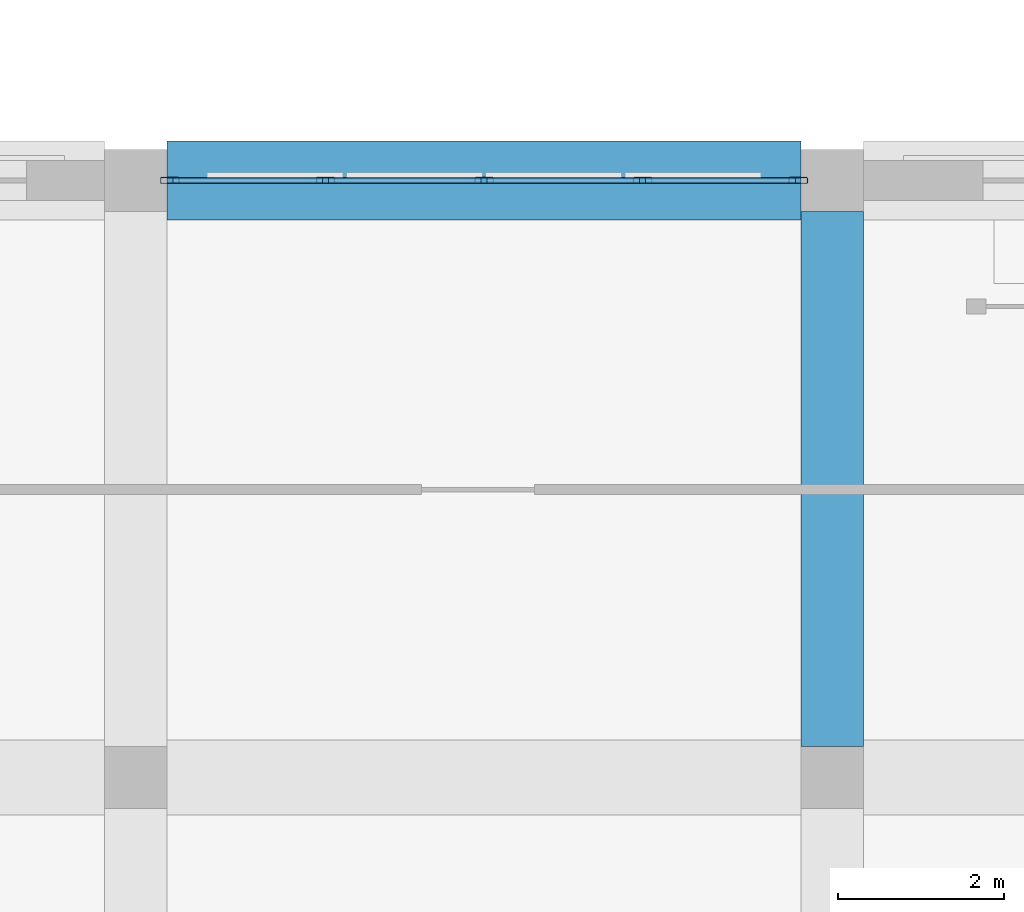
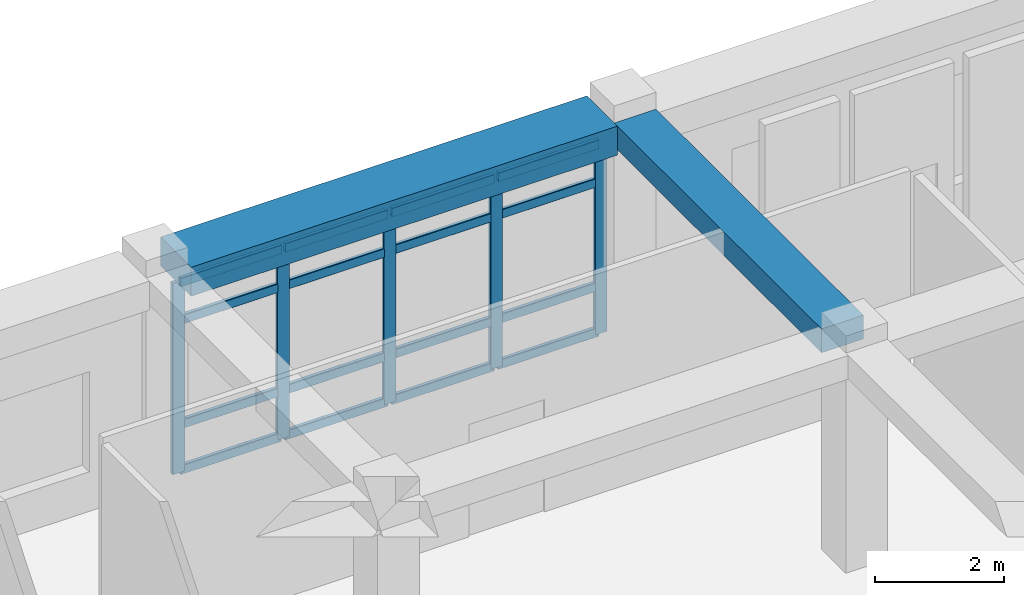
# One storey, part 32 of 121: 21 members, 2 beams, 1 element without a shape of its own.
"""IFC4 building model written with IfcOpenShell, lengths in metres."""

from ifc_helpers import new_model, si_unit, derived_unit, direction, frame, origin, origin_2d, place, context, subcontext, project, spatial, rectangle, hollow_rectangle, extrude, material, material_profile, profile_set, type_object, element, aggregate, save


model = new_model("IFC4")

# Units and contexts
model_context = context("Model", 3, precision=1e-05, world=origin(), true_north=direction((0.0, 1.0)))
body_context = subcontext(model_context, "Body", "Model", "MODEL_VIEW")
ifc_project = project(units=[si_unit("LENGTHUNIT", "METRE"), si_unit("AREAUNIT", "SQUARE_METRE"), si_unit("VOLUMEUNIT", "CUBIC_METRE"), si_unit("PLANEANGLEUNIT", "RADIAN"), si_unit("MASSUNIT", "GRAM", prefix="KILO"), derived_unit("THERMALTRANSMITTANCEUNIT", [(si_unit("POWERUNIT", "WATT"), 1), (si_unit("LENGTHUNIT", "METRE"), -2), (si_unit("THERMODYNAMICTEMPERATUREUNIT", "KELVIN"), -1)])], contexts=[model_context])

# Site, building, storey
site_placement = place(None, origin())
site = spatial("IfcSite", under=ifc_project, at=site_placement, CompositionType="ELEMENT")
building_placement = place(site_placement, origin())
building = spatial("IfcBuilding", under=site, at=building_placement, Name="Veybourne Emporium", CompositionType="ELEMENT")
storey_placement = place(building_placement, frame((0.0, 0.0, 5.39990234375)))
storey = spatial("IfcBuildingStorey", under=building, at=storey_placement, Name="L01", CompositionType="ELEMENT", Elevation=5.39990234375)

# Curtain wall, members
ifc_material_1 = material(Name="Patinated Architectural Bronze", Category="bronze")
curtain_wall_type = type_object("IfcCurtainWallType", Name="CWSystem_CWS-25", PredefinedType="NOTDEFINED", material=ifc_material_1)
curtain_wall_placement = place(storey_placement, origin())
curtain_wall = element("IfcCurtainWall", 1, at=curtain_wall_placement, inside=storey, type_object=curtain_wall_type, Name="L01 bronze glazed curtain wall CWS-25 (066)", PredefinedType="NOTDEFINED")
ifc_material_profile_1 = material_profile(ifc_material_1, hollow_rectangle(XDim=0.072021484375, YDim=0.22509765625, WallThickness=0.0048828125, InnerFilletRadius=0.007568359375, OuterFilletRadius=0.012451171875, at=origin_2d()), Name="CWM 72x225x5")
ifc_profile_set_1 = profile_set([ifc_material_profile_1], Name="Patinated Architectural Bronze")
member_type_1 = type_object("IfcMemberType", Name="CWMullion_CW-M1", PredefinedType="MULLION", material=ifc_profile_set_1)
member_1_placement = place(storey_placement, frame((118.010986328125, 28.800048828125, 0.0), z_axis=(0.0, 0.0, 1.0), x_axis=(0.0, 1.0, 0.0)))
member_1 = element("IfcMember", 2, at=member_1_placement, type_object=member_type_1, Name="CWS-25 mullion 1", PredefinedType="MULLION", context=body_context, shape_type="SweptSolid", body=[
    extrude(hollow_rectangle(XDim=0.072021484375, YDim=0.22509765625, WallThickness=0.0048828125, InnerFilletRadius=0.007568359375, OuterFilletRadius=0.012451171875, at=origin_2d()), origin(), (0.0, 0.0, 1.0), 3.630126953125),
])
member_2_placement = place(storey_placement, frame((119.887451171875, 28.800048828125, 0.0), z_axis=(0.0, 0.0, 1.0), x_axis=(0.0, 1.0, 0.0)))
member_2 = element("IfcMember", 3, at=member_2_placement, type_object=member_type_1, Name="CWS-25 mullion 2", PredefinedType="MULLION", context=body_context, shape_type="SweptSolid", body=[
    extrude(hollow_rectangle(XDim=0.072021484375, YDim=0.22509765625, WallThickness=0.0048828125, InnerFilletRadius=0.007568359375, OuterFilletRadius=0.012451171875, at=origin_2d()), origin(), (0.0, 0.0, 1.0), 3.630126953125),
])
member_3_placement = place(storey_placement, frame((121.800048828125, 28.800048828125, 0.0), z_axis=(0.0, 0.0, 1.0), x_axis=(0.0, 1.0, 0.0)))
member_3 = element("IfcMember", 4, at=member_3_placement, type_object=member_type_1, Name="CWS-25 mullion 3", PredefinedType="MULLION", context=body_context, shape_type="SweptSolid", body=[
    extrude(hollow_rectangle(XDim=0.072021484375, YDim=0.22509765625, WallThickness=0.0048828125, InnerFilletRadius=0.007568359375, OuterFilletRadius=0.012451171875, at=origin_2d()), origin(), (0.0, 0.0, 1.0), 3.630126953125),
])
member_4_placement = place(storey_placement, frame((123.71240234375, 28.800048828125, 0.0), z_axis=(0.0, 0.0, 1.0), x_axis=(0.0, 1.0, 0.0)))
member_4 = element("IfcMember", 5, at=member_4_placement, type_object=member_type_1, Name="CWS-25 mullion 4", PredefinedType="MULLION", context=body_context, shape_type="SweptSolid", body=[
    extrude(hollow_rectangle(XDim=0.072021484375, YDim=0.22509765625, WallThickness=0.0048828125, InnerFilletRadius=0.007568359375, OuterFilletRadius=0.012451171875, at=origin_2d()), origin(), (0.0, 0.0, 1.0), 3.630126953125),
])
member_5_placement = place(storey_placement, frame((125.589111328125, 28.800048828125, 0.0), z_axis=(0.0, 0.0, 1.0), x_axis=(0.0, 1.0, 0.0)))
member_5 = element("IfcMember", 6, at=member_5_placement, type_object=member_type_1, Name="CWS-25 mullion 5", PredefinedType="MULLION", context=body_context, shape_type="SweptSolid", body=[
    extrude(hollow_rectangle(XDim=0.072021484375, YDim=0.22509765625, WallThickness=0.0048828125, InnerFilletRadius=0.007568359375, OuterFilletRadius=0.012451171875, at=origin_2d()), origin(), (0.0, 0.0, 1.0), 3.630126953125),
])
ifc_material_profile_2 = material_profile(ifc_material_1, hollow_rectangle(XDim=0.072021484375, YDim=0.175048828125, WallThickness=0.0048828125, InnerFilletRadius=0.007568359375, OuterFilletRadius=0.012451171875, at=origin_2d()), Name="CWT 72x175x5")
ifc_profile_set_2 = profile_set([ifc_material_profile_2], Name="Patinated Architectural Bronze")
member_type_2 = type_object("IfcMemberType", Name="CWTransom_CW-T1", PredefinedType="NOTDEFINED", material=ifc_profile_set_2)
member_6_placement = place(storey_placement, frame((118.047119140625, 28.800048828125, 0.0361328125), z_axis=(1.0, 0.0, 0.0), x_axis=(0.0, 1.0, 0.0)))
member_6 = element("IfcMember", 7, at=member_6_placement, type_object=member_type_2, Name="CWS-25 transom 1.1", ObjectType="TRANSOM", PredefinedType="USERDEFINED", context=body_context, shape_type="SweptSolid", body=[
    extrude(hollow_rectangle(XDim=0.072021484375, YDim=0.175048828125, WallThickness=0.0048828125, InnerFilletRadius=0.007568359375, OuterFilletRadius=0.012451171875, at=origin_2d()), origin(), (0.0, 0.0, 1.0), 1.804443359375),
])
member_7_placement = place(storey_placement, frame((118.047119140625, 28.800048828125, 0.900146484375), z_axis=(1.0, 0.0, 0.0), x_axis=(0.0, 1.0, 0.0)))
member_7 = element("IfcMember", 8, at=member_7_placement, type_object=member_type_2, Name="CWS-25 transom 1.2", ObjectType="TRANSOM", PredefinedType="USERDEFINED", context=body_context, shape_type="SweptSolid", body=[
    extrude(hollow_rectangle(XDim=0.072021484375, YDim=0.175048828125, WallThickness=0.0048828125, InnerFilletRadius=0.007568359375, OuterFilletRadius=0.012451171875, at=origin_2d()), origin(), (0.0, 0.0, 1.0), 1.804443359375),
])
member_8_placement = place(storey_placement, frame((118.047119140625, 28.800048828125, 2.880126953125), z_axis=(1.0, 0.0, 0.0), x_axis=(0.0, 1.0, 0.0)))
member_8 = element("IfcMember", 9, at=member_8_placement, type_object=member_type_2, Name="CWS-25 transom 1.3", ObjectType="TRANSOM", PredefinedType="USERDEFINED", context=body_context, shape_type="SweptSolid", body=[
    extrude(hollow_rectangle(XDim=0.072021484375, YDim=0.175048828125, WallThickness=0.0048828125, InnerFilletRadius=0.007568359375, OuterFilletRadius=0.012451171875, at=origin_2d()), origin(), (0.0, 0.0, 1.0), 1.804443359375),
])
member_9_placement = place(storey_placement, frame((118.047119140625, 28.800048828125, 3.593994140625), z_axis=(1.0, 0.0, 0.0), x_axis=(0.0, 1.0, 0.0)))
member_9 = element("IfcMember", 10, at=member_9_placement, type_object=member_type_2, Name="CWS-25 transom 1.4", ObjectType="TRANSOM", PredefinedType="USERDEFINED", context=body_context, shape_type="SweptSolid", body=[
    extrude(hollow_rectangle(XDim=0.072021484375, YDim=0.175048828125, WallThickness=0.0048828125, InnerFilletRadius=0.007568359375, OuterFilletRadius=0.012451171875, at=origin_2d()), origin(), (0.0, 0.0, 1.0), 1.804443359375),
])
member_10_placement = place(storey_placement, frame((119.923583984375, 28.800048828125, 0.0361328125), z_axis=(1.0, 0.0, 0.0), x_axis=(0.0, 1.0, 0.0)))
member_10 = element("IfcMember", 11, at=member_10_placement, type_object=member_type_2, Name="CWS-25 transom 2.1", ObjectType="TRANSOM", PredefinedType="USERDEFINED", context=body_context, shape_type="SweptSolid", body=[
    extrude(hollow_rectangle(XDim=0.072021484375, YDim=0.175048828125, WallThickness=0.0048828125, InnerFilletRadius=0.007568359375, OuterFilletRadius=0.012451171875, at=origin_2d()), origin(), (0.0, 0.0, 1.0), 1.84033203125),
])
member_11_placement = place(storey_placement, frame((119.923583984375, 28.800048828125, 0.900146484375), z_axis=(1.0, 0.0, 0.0), x_axis=(0.0, 1.0, 0.0)))
member_11 = element("IfcMember", 12, at=member_11_placement, type_object=member_type_2, Name="CWS-25 transom 2.2", ObjectType="TRANSOM", PredefinedType="USERDEFINED", context=body_context, shape_type="SweptSolid", body=[
    extrude(hollow_rectangle(XDim=0.072021484375, YDim=0.175048828125, WallThickness=0.0048828125, InnerFilletRadius=0.007568359375, OuterFilletRadius=0.012451171875, at=origin_2d()), origin(), (0.0, 0.0, 1.0), 1.84033203125),
])
member_12_placement = place(storey_placement, frame((119.923583984375, 28.800048828125, 2.880126953125), z_axis=(1.0, 0.0, 0.0), x_axis=(0.0, 1.0, 0.0)))
member_12 = element("IfcMember", 13, at=member_12_placement, type_object=member_type_2, Name="CWS-25 transom 2.3", ObjectType="TRANSOM", PredefinedType="USERDEFINED", context=body_context, shape_type="SweptSolid", body=[
    extrude(hollow_rectangle(XDim=0.072021484375, YDim=0.175048828125, WallThickness=0.0048828125, InnerFilletRadius=0.007568359375, OuterFilletRadius=0.012451171875, at=origin_2d()), origin(), (0.0, 0.0, 1.0), 1.84033203125),
])
member_13_placement = place(storey_placement, frame((119.923583984375, 28.800048828125, 3.593994140625), z_axis=(1.0, 0.0, 0.0), x_axis=(0.0, 1.0, 0.0)))
member_13 = element("IfcMember", 14, at=member_13_placement, type_object=member_type_2, Name="CWS-25 transom 2.4", ObjectType="TRANSOM", PredefinedType="USERDEFINED", context=body_context, shape_type="SweptSolid", body=[
    extrude(hollow_rectangle(XDim=0.072021484375, YDim=0.175048828125, WallThickness=0.0048828125, InnerFilletRadius=0.007568359375, OuterFilletRadius=0.012451171875, at=origin_2d()), origin(), (0.0, 0.0, 1.0), 1.84033203125),
])
member_14_placement = place(storey_placement, frame((121.8359375, 28.800048828125, 0.0361328125), z_axis=(1.0, 0.0, 0.0), x_axis=(0.0, 1.0, 0.0)))
member_14 = element("IfcMember", 15, at=member_14_placement, type_object=member_type_2, Name="CWS-25 transom 3.1", ObjectType="TRANSOM", PredefinedType="USERDEFINED", context=body_context, shape_type="SweptSolid", body=[
    extrude(hollow_rectangle(XDim=0.072021484375, YDim=0.175048828125, WallThickness=0.0048828125, InnerFilletRadius=0.007568359375, OuterFilletRadius=0.012451171875, at=origin_2d()), origin(), (0.0, 0.0, 1.0), 1.840576171875),
])
member_15_placement = place(storey_placement, frame((121.8359375, 28.800048828125, 0.900146484375), z_axis=(1.0, 0.0, 0.0), x_axis=(0.0, 1.0, 0.0)))
member_15 = element("IfcMember", 16, at=member_15_placement, type_object=member_type_2, Name="CWS-25 transom 3.2", ObjectType="TRANSOM", PredefinedType="USERDEFINED", context=body_context, shape_type="SweptSolid", body=[
    extrude(hollow_rectangle(XDim=0.072021484375, YDim=0.175048828125, WallThickness=0.0048828125, InnerFilletRadius=0.007568359375, OuterFilletRadius=0.012451171875, at=origin_2d()), origin(), (0.0, 0.0, 1.0), 1.840576171875),
])
member_16_placement = place(storey_placement, frame((121.8359375, 28.800048828125, 2.880126953125), z_axis=(1.0, 0.0, 0.0), x_axis=(0.0, 1.0, 0.0)))
member_16 = element("IfcMember", 17, at=member_16_placement, type_object=member_type_2, Name="CWS-25 transom 3.3", ObjectType="TRANSOM", PredefinedType="USERDEFINED", context=body_context, shape_type="SweptSolid", body=[
    extrude(hollow_rectangle(XDim=0.072021484375, YDim=0.175048828125, WallThickness=0.0048828125, InnerFilletRadius=0.007568359375, OuterFilletRadius=0.012451171875, at=origin_2d()), origin(), (0.0, 0.0, 1.0), 1.840576171875),
])
member_17_placement = place(storey_placement, frame((121.8359375, 28.800048828125, 3.593994140625), z_axis=(1.0, 0.0, 0.0), x_axis=(0.0, 1.0, 0.0)))
member_17 = element("IfcMember", 18, at=member_17_placement, type_object=member_type_2, Name="CWS-25 transom 3.4", ObjectType="TRANSOM", PredefinedType="USERDEFINED", context=body_context, shape_type="SweptSolid", body=[
    extrude(hollow_rectangle(XDim=0.072021484375, YDim=0.175048828125, WallThickness=0.0048828125, InnerFilletRadius=0.007568359375, OuterFilletRadius=0.012451171875, at=origin_2d()), origin(), (0.0, 0.0, 1.0), 1.840576171875),
])
member_18_placement = place(storey_placement, frame((123.74853515625, 28.800048828125, 0.0361328125), z_axis=(1.0, 0.0, 0.0), x_axis=(0.0, 1.0, 0.0)))
member_18 = element("IfcMember", 19, at=member_18_placement, type_object=member_type_2, Name="CWS-25 transom 4.1", ObjectType="TRANSOM", PredefinedType="USERDEFINED", context=body_context, shape_type="SweptSolid", body=[
    extrude(hollow_rectangle(XDim=0.072021484375, YDim=0.175048828125, WallThickness=0.0048828125, InnerFilletRadius=0.007568359375, OuterFilletRadius=0.012451171875, at=origin_2d()), origin(), (0.0, 0.0, 1.0), 1.804443359375),
])
member_19_placement = place(storey_placement, frame((123.74853515625, 28.800048828125, 0.900146484375), z_axis=(1.0, 0.0, 0.0), x_axis=(0.0, 1.0, 0.0)))
member_19 = element("IfcMember", 20, at=member_19_placement, type_object=member_type_2, Name="CWS-25 transom 4.2", ObjectType="TRANSOM", PredefinedType="USERDEFINED", context=body_context, shape_type="SweptSolid", body=[
    extrude(hollow_rectangle(XDim=0.072021484375, YDim=0.175048828125, WallThickness=0.0048828125, InnerFilletRadius=0.007568359375, OuterFilletRadius=0.012451171875, at=origin_2d()), origin(), (0.0, 0.0, 1.0), 1.804443359375),
])
member_20_placement = place(storey_placement, frame((123.74853515625, 28.800048828125, 2.880126953125), z_axis=(1.0, 0.0, 0.0), x_axis=(0.0, 1.0, 0.0)))
member_20 = element("IfcMember", 21, at=member_20_placement, type_object=member_type_2, Name="CWS-25 transom 4.3", ObjectType="TRANSOM", PredefinedType="USERDEFINED", context=body_context, shape_type="SweptSolid", body=[
    extrude(hollow_rectangle(XDim=0.072021484375, YDim=0.175048828125, WallThickness=0.0048828125, InnerFilletRadius=0.007568359375, OuterFilletRadius=0.012451171875, at=origin_2d()), origin(), (0.0, 0.0, 1.0), 1.804443359375),
])
member_21_placement = place(storey_placement, frame((123.74853515625, 28.800048828125, 3.593994140625), z_axis=(1.0, 0.0, 0.0), x_axis=(0.0, 1.0, 0.0)))
member_21 = element("IfcMember", 22, at=member_21_placement, type_object=member_type_2, Name="CWS-25 transom 4.4", ObjectType="TRANSOM", PredefinedType="USERDEFINED", context=body_context, shape_type="SweptSolid", body=[
    extrude(hollow_rectangle(XDim=0.072021484375, YDim=0.175048828125, WallThickness=0.0048828125, InnerFilletRadius=0.007568359375, OuterFilletRadius=0.012451171875, at=origin_2d()), origin(), (0.0, 0.0, 1.0), 1.804443359375),
])
aggregate(curtain_wall, [member_1, member_2, member_3, member_4, member_5, member_6, member_7, member_8, member_9, member_10, member_11, member_12, member_13, member_14, member_15, member_16, member_17, member_18, member_19, member_20, member_21])

# Beams
ifc_material_2 = material(Name="Concrete C32/40", Category="concrete")
ifc_material_profile_3 = material_profile(ifc_material_2, rectangle(XDim=0.75, YDim=0.449951171875, at=origin_2d()), Name="RC 750x450")
ifc_profile_set_3 = profile_set([ifc_material_profile_3], Name="Concrete C32/40")
beam_type_1 = type_object("IfcBeamType", Name="RCBeam_BB-04", PredefinedType="BEAM", material=ifc_profile_set_3)
beam_1_placement = place(storey_placement, frame((126.0, 21.97509765625, 3.955078125), z_axis=(0.0, 1.0, 0.0), x_axis=(-1.0, 0.0, 0.0)))
element("IfcBeam", 23, at=beam_1_placement, inside=storey, type_object=beam_type_1, Name="L01 Y-grid beam BB-04 (15,3)", PredefinedType="BEAM", context=body_context, shape_type="SweptSolid", body=[
    extrude(rectangle(XDim=0.75, YDim=0.449951171875, at=origin_2d()), origin(), (0.0, 0.0, 1.0), 6.449951171875),
])
ifc_material_profile_4 = material_profile(ifc_material_2, rectangle(XDim=0.949951171875, YDim=0.550048828125, at=origin_2d()), Name="RC 950x550")
ifc_profile_set_4 = profile_set([ifc_material_profile_4], Name="Concrete C32/40")
beam_type_2 = type_object("IfcBeamType", Name="RCBeam_EB-01", PredefinedType="SPANDREL", material=ifc_profile_set_4)
beam_2_placement = place(storey_placement, frame((117.97509765625, 28.800048828125, 3.905029296875), z_axis=(1.0, 0.0, 0.0), x_axis=(0.0, 1.0, 0.0)))
element("IfcBeam", 24, at=beam_2_placement, inside=storey, type_object=beam_type_2, Name="L01 X-grid beam EB-01 (14,4)", PredefinedType="SPANDREL", context=body_context, shape_type="SweptSolid", body=[
    extrude(rectangle(XDim=0.949951171875, YDim=0.550048828125, at=origin_2d()), origin(), (0.0, 0.0, 1.0), 7.64990234375),
])

save(model, "model.ifc")
